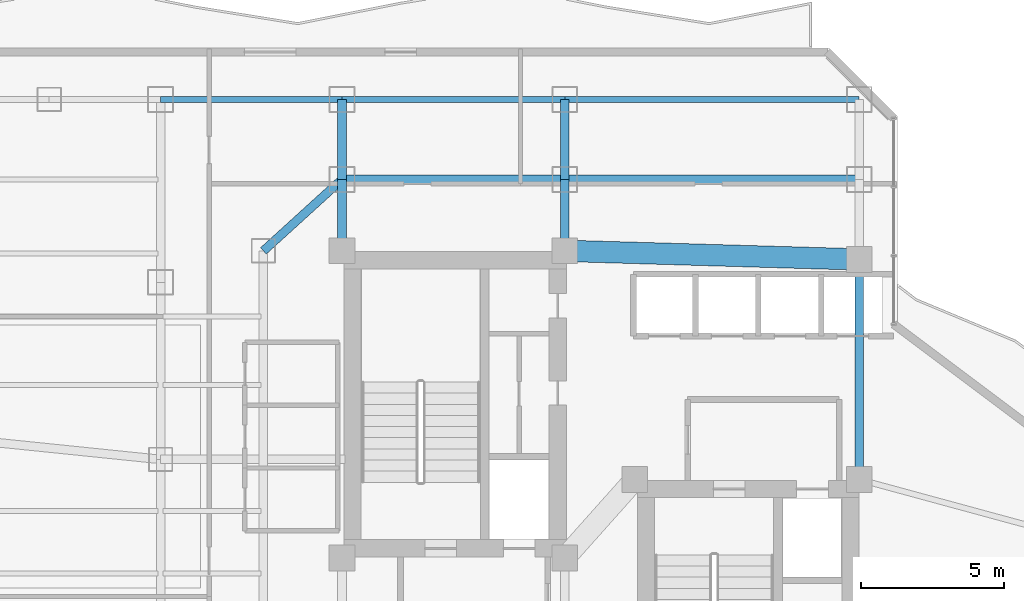
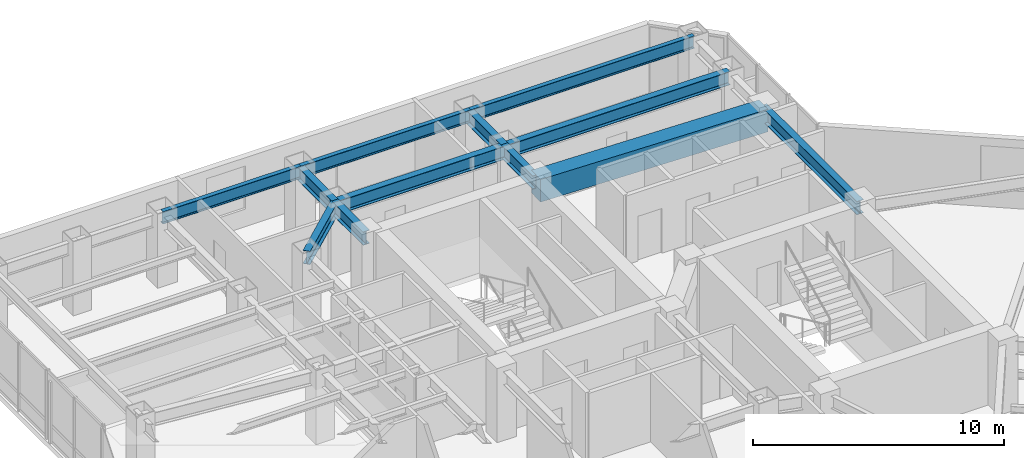
# One storey, part 18 of 29: 12 beams.
"""IFC4 building model written with IfcOpenShell, lengths in metres."""

import ifcopenshell
import ifcopenshell.guid

model = None  # the IFC model being written
_history = None  # IfcOwnerHistory: only IFC2X3 demands one
_inside = {}  # id of a spatial element -> (the spatial element, [elements in it])
_under = {}  # id of a project, library or spatial element -> (it, [spatial elements below it])
_declared = {}  # id of a project -> (the project, [libraries it declares])
_typed = {}  # id of a type object -> (the type object, [elements of that type])
_made_of = {}  # id of a material, layer set ... -> (it, [elements and type objects made of it])


def new_model(schema):
    """Start an empty IFC model of exactly this schema.

    Asked for "IFC4X3", IfcOpenShell would pick the latest addendum, in which some entities
    have other attributes; the version numbers below select the first issue.
    IFC2X3 requires an IfcOwnerHistory on every rooted entity: one is made here for all.
    """
    global model, _history
    if schema == "IFC4X3":
        model = ifcopenshell.file(schema_version=(4, 3, 0, 0))
    else:
        model = ifcopenshell.file(schema=schema)
    _inside.clear()
    _under.clear()
    _declared.clear()
    _typed.clear()
    _made_of.clear()
    _history = None
    if model.schema == "IFC2X3":
        org = make("IfcOrganization", Name="unknown")
        user = make(
            "IfcPersonAndOrganization",
            ThePerson=make("IfcPerson", FamilyName="unknown"),
            TheOrganization=org,
        )
        app = make(
            "IfcApplication",
            ApplicationDeveloper=org,
            Version="unknown",
            ApplicationFullName="unknown",
            ApplicationIdentifier="unknown",
        )
        _history = make(
            "IfcOwnerHistory",
            OwningUser=user,
            OwningApplication=app,
            ChangeAction="ADDED",
            CreationDate=0,
        )
    return model


def make(cls, **values):
    """One entity of the class cls with the attributes given. An attribute that is None is left unset."""
    return model.create_entity(
        cls, **{name: value for name, value in values.items() if value is not None}
    )


def rooted(cls, **values):
    """An entity with a GlobalId (a new one), such as an element, a storey or a relation."""
    return make(cls, GlobalId=ifcopenshell.guid.new(), OwnerHistory=_history, **values)


def si_unit(unit_type, name, prefix=None):
    """IfcSIUnit, for example si_unit("LENGTHUNIT", "METRE", prefix="MILLI")."""
    return make("IfcSIUnit", UnitType=unit_type, Prefix=prefix, Name=name)


def assignment(units):
    """IfcUnitAssignment: the units of a project."""
    return None if units is None else make("IfcUnitAssignment", Units=units)


def point(xyz):
    """IfcCartesianPoint."""
    return None if xyz is None else make("IfcCartesianPoint", Coordinates=xyz)


def direction(xyz):
    """IfcDirection."""
    return None if xyz is None else make("IfcDirection", DirectionRatios=xyz)


def frame(location, z_axis=None, x_axis=None):
    """IfcAxis2Placement3D, a coordinate frame: its origin and axes. An axis left out is left unset."""
    return make(
        "IfcAxis2Placement3D",
        Location=point(location),
        Axis=direction(z_axis),
        RefDirection=direction(x_axis),
    )


def frame_2d(location, x_axis=None):
    """IfcAxis2Placement2D, a coordinate frame in the plane: its origin and x axis."""
    return make(
        "IfcAxis2Placement2D", Location=point(location), RefDirection=direction(x_axis)
    )


def origin():
    """The frame at (0, 0, 0) with its axes left unset."""
    return frame((0.0, 0.0, 0.0))


def origin_2d():
    """The frame at (0, 0) in the plane with its x axis left unset."""
    return frame_2d((0.0, 0.0))


def place(relative_to, where):
    """IfcLocalPlacement: puts the frame where relative to a parent placement (None: the world)."""
    return make(
        "IfcLocalPlacement", PlacementRelTo=relative_to, RelativePlacement=where
    )


def context(
    kind, dimensions, precision=None, world=None, true_north=None, identifier=None
):
    """IfcGeometricRepresentationContext, for example the 3D "Model" context."""
    return make(
        "IfcGeometricRepresentationContext",
        ContextIdentifier=identifier,
        ContextType=kind,
        CoordinateSpaceDimension=dimensions,
        Precision=precision,
        WorldCoordinateSystem=world,
        TrueNorth=true_north,
    )


def subcontext(parent, identifier, kind, view, scale=None):
    """IfcGeometricRepresentationSubContext, for example "Body" below "Model"."""
    return make(
        "IfcGeometricRepresentationSubContext",
        ContextIdentifier=identifier,
        ContextType=kind,
        ParentContext=parent,
        TargetScale=scale,
        TargetView=view,
    )


def project(units=None, contexts=None):
    """IfcProject with its units and contexts."""
    return rooted(
        "IfcProject",
        Name="project",
        RepresentationContexts=contexts,
        UnitsInContext=assignment(units),
    )


def spatial(cls, under=None, at=None, **own):
    """A site, building, storey or space (cls), placed at a placement, below another one or the project."""
    s = rooted(cls, ObjectPlacement=at, **own)
    if under is not None:
        _under.setdefault(under.id(), (under, []))[1].append(s)
    return s


def profile(cls, at=None, kind="AREA", **sizes):
    """A parametric profile (cls). Its sizes go by their IFC names, for example OverallWidth=200.0."""
    return make(cls, ProfileType=kind, Position=at, **sizes)


def rectangle(**sizes):
    """IfcRectangleProfileDef."""
    return profile("IfcRectangleProfileDef", **sizes)


def i_section(**sizes):
    """IfcIShapeProfileDef."""
    return profile("IfcIShapeProfileDef", **sizes)


def extrude(swept, where, along, depth):
    """IfcExtrudedAreaSolid: the profile swept, set in the frame where, extruded along a direction by depth."""
    return make(
        "IfcExtrudedAreaSolid",
        SweptArea=swept,
        Position=where,
        ExtrudedDirection=direction(along),
        Depth=depth,
    )


def shape(context_of_items, identifier, shape_type, items):
    """IfcShapeRepresentation: the items that make up one representation, for example the "Body"."""
    return make(
        "IfcShapeRepresentation",
        ContextOfItems=context_of_items,
        RepresentationIdentifier=identifier,
        RepresentationType=shape_type,
        Items=items,
    )


def material(Name=None, Category=None):
    """IfcMaterial."""
    return make("IfcMaterial", Name=Name, Category=Category)


def material_profile(
    of_material, cross_section, Name=None, Category=None, Priority=None
):
    """IfcMaterialProfile: a cross section and its material."""
    return make(
        "IfcMaterialProfile",
        Name=Name,
        Material=of_material,
        Profile=cross_section,
        Priority=Priority,
        Category=Category,
    )


def profile_set(profiles, Name=None, composite=None):
    """IfcMaterialProfileSet."""
    return make(
        "IfcMaterialProfileSet",
        Name=Name,
        MaterialProfiles=profiles,
        CompositeProfile=composite,
    )


def made_of(thing, what):
    """Note that an element or type object is made of a material, layer set ...; save() writes the relation."""
    if what is not None:
        _made_of.setdefault(what.id(), (what, []))[1].append(thing)
    return thing


def type_object(cls, material=None, **own):
    """A type object (cls), such as IfcWallType, which elements share."""
    return made_of(rooted(cls, **own), material)


def element(
    cls,
    number,
    at=None,
    inside=None,
    cuts=None,
    type_object=None,
    material=None,
    context=None,
    identifier="Body",
    shape_type=None,
    held_by="IfcProductDefinitionShape",
    body=None,
    shapes=None,
    **own,
):
    """One element of the class cls, such as IfcWall. Its Tag is "e" and its number.

    at: its placement. inside: the storey or other place that contains it. cuts: it is an
    opening in that element (IfcRelVoidsElement). A single representation is given by context,
    identifier, shape_type and body (its items); several are given by shapes. held_by: the class
    of the entity that holds the representations. save() writes the other relations.
    """
    e = rooted(cls, Tag="e%d" % number, ObjectPlacement=at, **own)
    if body is not None:
        shapes = [shape(context, identifier, shape_type, body)]
    if shapes is not None:
        e.Representation = make(held_by, Representations=shapes)
    if inside is not None:
        _inside.setdefault(inside.id(), (inside, []))[1].append(e)
    if cuts is not None:
        rooted(
            "IfcRelVoidsElement", RelatingBuildingElement=cuts, RelatedOpeningElement=e
        )
    if type_object is not None:
        _typed.setdefault(type_object.id(), (type_object, []))[1].append(e)
    return made_of(e, material)


def aggregate(whole, parts):
    """IfcRelAggregates: a whole, such as a stair, and the parts it consists of."""
    return rooted("IfcRelAggregates", RelatingObject=whole, RelatedObjects=parts)


def save(model, path):
    """Write the relations noted so far, then the file.

    IfcRelAggregates (storeys below a building ...), IfcRelContainedInSpatialStructure (elements
    in a storey), IfcRelDefinesByType, IfcRelAssociatesMaterial and IfcRelDeclares: one each for
    every whole, place, type object, material and project.
    """
    for whole, parts in _under.values():
        aggregate(whole, parts)
    for where, things in _inside.values():
        rooted(
            "IfcRelContainedInSpatialStructure",
            RelatedElements=things,
            RelatingStructure=where,
        )
    for kind, things in _typed.values():
        rooted("IfcRelDefinesByType", RelatedObjects=things, RelatingType=kind)
    for what, things in _made_of.values():
        rooted("IfcRelAssociatesMaterial", RelatedObjects=things, RelatingMaterial=what)
    for by, libraries in _declared.values():
        rooted("IfcRelDeclares", RelatingContext=by, RelatedDefinitions=libraries)
    model.write(path)


model = new_model("IFC4")

# Units and contexts
model_context = context("Model", 3, precision=1e-05, world=origin(), true_north=direction((0.0, 1.0)))
body_context = subcontext(model_context, "Body", "Model", "MODEL_VIEW")
ifc_project = project(units=[si_unit("LENGTHUNIT", "METRE"), si_unit("AREAUNIT", "SQUARE_METRE"), si_unit("VOLUMEUNIT", "CUBIC_METRE"), si_unit("PLANEANGLEUNIT", "RADIAN"), si_unit("MASSUNIT", "GRAM", prefix="KILO")], contexts=[model_context])

# Site, building, storey
site_placement = place(None, origin())
site = spatial("IfcSite", under=ifc_project, at=site_placement, CompositionType="ELEMENT")
building_placement = place(site_placement, origin())
building = spatial("IfcBuilding", under=site, at=building_placement, Name="Hatsunagi Terrace Concourse", CompositionType="ELEMENT")
storey_placement = place(building_placement, frame((0.0, 0.0, 119.25)))
storey = spatial("IfcBuildingStorey", under=building, at=storey_placement, Name="L31", CompositionType="ELEMENT", Elevation=119.25)

# Beams
ifc_material_1 = material(Name="Concrete Fc48", Category="concrete")
ifc_material_profile_1 = material_profile(ifc_material_1, rectangle(XDim=0.75, YDim=1.10009765625, at=origin_2d()), Name="RC-750x1100")
ifc_profile_set_1 = profile_set([ifc_material_profile_1], Name="Concrete Fc48")
beam_type_1 = type_object("IfcBeamType", Name="CoreCouplingBeam_RC_750x1100", PredefinedType="BEAM", material=ifc_profile_set_1)
beam_1_placement = place(storey_placement, frame((33.35009765625, 43.300048828125, 2.800048828125), z_axis=(0.999575947545, -0.029119153303, 0.0), x_axis=(0.029119153303, 0.999575947545, 0.0)))
element("IfcBeam", 1, at=beam_1_placement, inside=storey, type_object=beam_type_1, Name="Beam CB-02 CB-L31-2", PredefinedType="BEAM", context=body_context, shape_type="SweptSolid", body=[
    extrude(rectangle(XDim=0.75, YDim=1.10009765625, at=origin_2d()), origin(), (0.0, 0.0, 1.0), 10.30419921875),
])
ifc_material_2 = material(Name="Steel SN490B", Category="steel")
ifc_material_profile_2 = material_profile(ifc_material_2, i_section(OverallWidth=0.300048828125, OverallDepth=0.64990234375, WebThickness=0.012939453125, FlangeThickness=0.02197265625, FilletRadius=0.01806640625, at=origin_2d()), Name="H-650x300x13x22")
ifc_profile_set_2 = profile_set([ifc_material_profile_2], Name="Steel SN490B")
beam_type_2 = type_object("IfcBeamType", Name="OfficeLowGirder_H_650x300", PredefinedType="BEAM", material=ifc_profile_set_2)
beam_2_placement = place(storey_placement, frame((43.64990234375, 35.300048828125, 3.02490234375), z_axis=(0.0, 1.0, 0.0), x_axis=(-1.0, 0.0, 0.0)))
element("IfcBeam", 2, at=beam_2_placement, inside=storey, type_object=beam_type_2, Name="Beam G-05 BM-L31-CBK3", PredefinedType="BEAM", context=body_context, shape_type="SweptSolid", body=[
    extrude(i_section(OverallWidth=0.300048828125, OverallDepth=0.64990234375, WebThickness=0.012939453125, FlangeThickness=0.02197265625, FilletRadius=0.01806640625, at=origin_2d()), origin(), (0.0, 0.0, 1.0), 7.699951171875),
])
for number, where, z_axis, x_axis, name in (
    (3, (25.550048828125, 43.300048828125, 3.02490234375), (0.0, 1.0, 0.0), (-1.0, 0.0, 0.0), "Beam G-05 BM-L31-CN1"),
    (4, (33.35009765625, 43.300048828125, 3.02490234375), (0.0, 1.0, 0.0), (-1.0, 0.0, 0.0), "Beam G-05 BM-L31-CN2"),
):
    element("IfcBeam", number, at=place(storey_placement, frame(where, z_axis=z_axis, x_axis=x_axis)), inside=storey, type_object=beam_type_2, Name=name, PredefinedType="BEAM", context=body_context, shape_type="SweptSolid", body=[
        extrude(i_section(OverallWidth=0.300048828125, OverallDepth=0.64990234375, WebThickness=0.012939453125, FlangeThickness=0.02197265625, FilletRadius=0.01806640625, at=origin_2d()), origin(), (0.0, 0.0, 1.0), 2.5),
    ])
beam_3_placement = place(storey_placement, frame((25.550048828125, 45.800048828125, 3.02490234375), z_axis=(1.0, 0.0, 0.0), x_axis=(0.0, 1.0, 0.0)))
element("IfcBeam", 5, at=beam_3_placement, inside=storey, type_object=beam_type_2, Name="Beam G-05 BM-L31-CNEW1", PredefinedType="BEAM", context=body_context, shape_type="SweptSolid", body=[
    extrude(i_section(OverallWidth=0.300048828125, OverallDepth=0.64990234375, WebThickness=0.012939453125, FlangeThickness=0.02197265625, FilletRadius=0.01806640625, at=origin_2d()), origin(), (0.0, 0.0, 1.0), 7.800048828125),
])
beam_4_placement = place(storey_placement, frame((33.35009765625, 45.800048828125, 3.02490234375), z_axis=(1.0, 0.0, 0.0), x_axis=(0.0, 1.0, 0.0)))
element("IfcBeam", 6, at=beam_4_placement, inside=storey, type_object=beam_type_2, Name="Beam G-05 BM-L31-CNEW2", PredefinedType="BEAM", context=body_context, shape_type="SweptSolid", body=[
    extrude(i_section(OverallWidth=0.300048828125, OverallDepth=0.64990234375, WebThickness=0.012939453125, FlangeThickness=0.02197265625, FilletRadius=0.01806640625, at=origin_2d()), origin(), (0.0, 0.0, 1.0), 10.2998046875),
])
for number, where, z_axis, x_axis, name in (
    (7, (25.550048828125, 45.800048828125, 3.02490234375), (0.0, 1.0, 0.0), (-1.0, 0.0, 0.0), "Beam G-05 BM-L31-KN-WN4"),
    (8, (33.35009765625, 45.800048828125, 3.02490234375), (0.0, 1.0, 0.0), (-1.0, 0.0, 0.0), "Beam G-05 BM-L31-KN-WN5"),
):
    element("IfcBeam", number, at=place(storey_placement, frame(where, z_axis=z_axis, x_axis=x_axis)), inside=storey, type_object=beam_type_2, Name=name, PredefinedType="BEAM", context=body_context, shape_type="SweptSolid", body=[
        extrude(i_section(OverallWidth=0.300048828125, OverallDepth=0.64990234375, WebThickness=0.012939453125, FlangeThickness=0.02197265625, FilletRadius=0.01806640625, at=origin_2d()), origin(), (0.0, 0.0, 1.0), 2.800048828125),
    ])
beam_5_placement = place(storey_placement, frame((22.800048828125, 43.300048828125, 3.02490234375), z_axis=(0.739940073396, 0.672672793996, 0.0), x_axis=(-0.672672793996, 0.739940073396, 0.0)))
element("IfcBeam", 9, at=beam_5_placement, inside=storey, type_object=beam_type_2, Name="Beam G-05 BM-L31-CWEW-N", PredefinedType="BEAM", context=body_context, shape_type="SweptSolid", body=[
    extrude(i_section(OverallWidth=0.300048828125, OverallDepth=0.64990234375, WebThickness=0.012939453125, FlangeThickness=0.02197265625, FilletRadius=0.01806640625, at=origin_2d()), origin(), (0.0, 0.0, 1.0), 3.716552734375),
])
ifc_material_3 = material(Name="Steel SN490B", Category="steel")
ifc_material_profile_3 = material_profile(ifc_material_3, i_section(OverallWidth=0.199951171875, OverallDepth=0.60009765625, WebThickness=0.010986328125, FlangeThickness=0.01708984375, FilletRadius=0.01806640625, at=origin_2d()), Name="H-600x200x11x17")
ifc_profile_set_3 = profile_set([ifc_material_profile_3], Name="Steel SN490B")
beam_type_3 = type_object("IfcBeamType", Name="PerimeterSpandrel_H_600x200", PredefinedType="SPANDREL", material=ifc_profile_set_3)
beam_6_placement = place(storey_placement, frame((19.199951171875, 48.60009765625, 3.050048828125), z_axis=(1.0, 0.0, 0.0), x_axis=(0.0, 1.0, 0.0)))
element("IfcBeam", 10, at=beam_6_placement, inside=storey, type_object=beam_type_3, Name="Beam SP-01 BM-L31-WN-19", PredefinedType="SPANDREL", context=body_context, shape_type="SweptSolid", body=[
    extrude(i_section(OverallWidth=0.199951171875, OverallDepth=0.60009765625, WebThickness=0.010986328125, FlangeThickness=0.01708984375, FilletRadius=0.01806640625, at=origin_2d()), origin(), (0.0, 0.0, 1.0), 6.35009765625),
])
beam_7_placement = place(storey_placement, frame((25.550048828125, 48.60009765625, 3.050048828125), z_axis=(1.0, 0.0, 0.0), x_axis=(0.0, 1.0, 0.0)))
element("IfcBeam", 11, at=beam_7_placement, inside=storey, type_object=beam_type_3, Name="Beam SP-01 BM-L31-WN-25", PredefinedType="SPANDREL", context=body_context, shape_type="SweptSolid", body=[
    extrude(i_section(OverallWidth=0.199951171875, OverallDepth=0.60009765625, WebThickness=0.010986328125, FlangeThickness=0.01708984375, FilletRadius=0.01806640625, at=origin_2d()), origin(), (0.0, 0.0, 1.0), 7.800048828125),
])
beam_8_placement = place(storey_placement, frame((33.35009765625, 48.60009765625, 3.050048828125), z_axis=(1.0, 0.0, 0.0), x_axis=(0.0, 1.0, 0.0)))
element("IfcBeam", 12, at=beam_8_placement, inside=storey, type_object=beam_type_3, Name="Beam SP-01 BM-L31-WN-33", PredefinedType="SPANDREL", context=body_context, shape_type="SweptSolid", body=[
    extrude(i_section(OverallWidth=0.199951171875, OverallDepth=0.60009765625, WebThickness=0.010986328125, FlangeThickness=0.01708984375, FilletRadius=0.01806640625, at=origin_2d()), origin(), (0.0, 0.0, 1.0), 10.2998046875),
])

save(model, "model.ifc")
